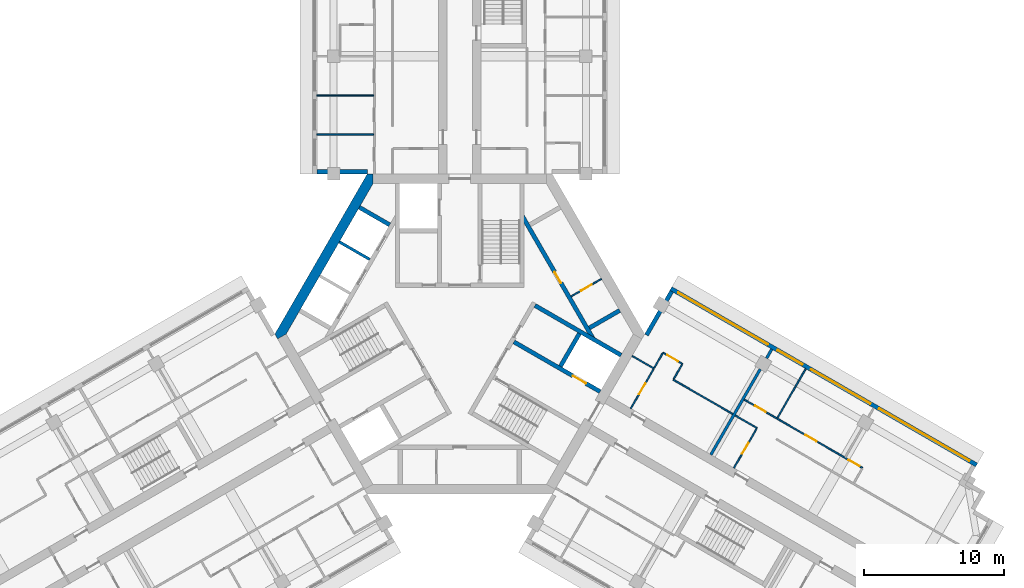
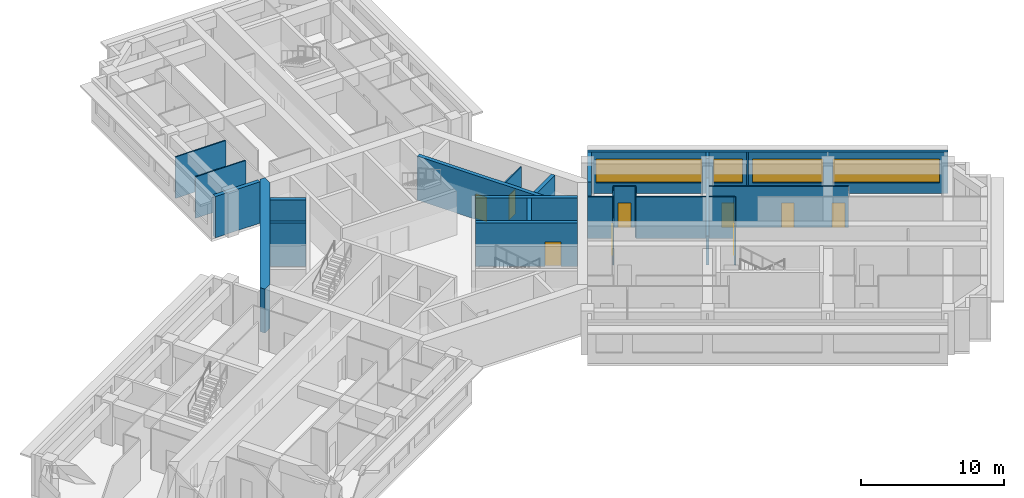
# One storey, part 6 of 10: 26 walls, 9 doors, 4 windows, 13 openings.
"""IFC4 building model written with IfcOpenShell, lengths in metres."""

from ifc_helpers import new_model, si_unit, direction, frame, frame_2d, origin, place, context, subcontext, project, spatial, polyline, rectangle, outline, extrude, material, layer, layer_set, type_object, element, fill, save


model = new_model("IFC4")

# Units and contexts
model_context = context("Model", 3, precision=1e-05, world=origin(), true_north=direction((0.0, 1.0)))
body_context = subcontext(model_context, "Body", "Model", "MODEL_VIEW")
ifc_project = project(units=[si_unit("LENGTHUNIT", "METRE"), si_unit("AREAUNIT", "SQUARE_METRE"), si_unit("VOLUMEUNIT", "CUBIC_METRE"), si_unit("PLANEANGLEUNIT", "RADIAN"), si_unit("MASSUNIT", "GRAM", prefix="KILO")], contexts=[model_context])

# Site, building, storey
site_placement = place(None, origin())
site = spatial("IfcSite", under=ifc_project, at=site_placement, CompositionType="ELEMENT")
building_placement = place(site_placement, origin())
building = spatial("IfcBuilding", under=site, at=building_placement, Name="Impinga Residences", CompositionType="ELEMENT")
storey_placement = place(building_placement, frame((0.0, 0.0, 196.0)))
storey = spatial("IfcBuildingStorey", under=building, at=storey_placement, Name="L48", CompositionType="ELEMENT", Elevation=196.0)

# Wall, opening, door
ifc_material_1 = material(Name="Concrete blockwork", Category="masonry")
ifc_layer_1 = layer(ifc_material_1, 0.10009765625)
ifc_layer_set_1 = layer_set([ifc_layer_1], Name="CP1 core room partition, blockwork 100")
wall_type_1 = type_object("IfcWallType", Name="CP1 core room partition, blockwork 100", PredefinedType="PARTITIONING", material=ifc_layer_set_1)
wall_1_placement = place(storey_placement, frame((7.95361328125, 2.686767578125, 0.0), z_axis=(0.0, 0.0, 1.0), x_axis=(0.866047370643, 0.499961950354, 0.0)))
wall_1 = element("IfcWall", 1, at=wall_1_placement, inside=storey, type_object=wall_type_1, Name="Core room partition, blockwork L48:CORE:mid:ZP1", PredefinedType="PARTITIONING", context=body_context, shape_type="SweptSolid", body=[
    extrude(rectangle(XDim=2.500244140625, YDim=0.10009765625, at=frame_2d((1.25, 0.0))), origin(), (0.0, 0.0, 1.0), 3.530029296875),
])
opening_1_placement = place(wall_1_placement, frame((0.800048828125, 0.0, 0.0)))
opening_1 = element("IfcOpeningElement", 2, at=opening_1_placement, cuts=wall_1, Name="Opening D6", PredefinedType="OPENING", context=body_context, shape_type="SweptSolid", body=[
    extrude(rectangle(XDim=0.89990234375, YDim=2.10009765625, at=frame_2d((0.449951171875, 1.050048828125))), frame((0.0, 0.06005859375, 0.0), z_axis=(0.0, -1.0, 0.0), x_axis=(1.0, 0.0, 0.0)), (0.0, 0.0, 1.0), 0.1201171875),
])
ifc_material_2 = material(Name="Timber door set", Category="wood")
door_type_1 = type_object("IfcDoorType", Name="D6 riser and store door 900x2100", OperationType="SINGLE_SWING_LEFT", PredefinedType="DOOR", material=ifc_material_2)
door_1_placement = place(opening_1_placement, origin())
door_1 = element("IfcDoor", 3, at=door_1_placement, inside=storey, type_object=door_type_1, Name="Residents' storage lockers door", OperationType="SINGLE_SWING_LEFT", OverallHeight=2.10009765625, OverallWidth=0.89990234375, PredefinedType="DOOR", context=body_context, shape_type="SweptSolid", body=[
    extrude(rectangle(XDim=0.89990234375, YDim=2.10009765625, at=frame_2d((0.449951171875, 1.050048828125))), frame((0.0, 0.02490234375, 0.0), z_axis=(0.0, -1.0, 0.0), x_axis=(1.0, 0.0, 0.0)), (0.0, 0.0, 1.0), 0.050048828125),
])
fill(opening_1, door_1)

# Walls
ifc_material_3 = material(Name="Terracotta rainscreen on blockwork", Category="masonry")
ifc_layer_2 = layer(ifc_material_3, 0.300048828125)
ifc_layer_set_2 = layer_set([ifc_layer_2], Name="EW1 external wall, terracotta rainscreen on blockwork 300")
wall_type_2 = type_object("IfcWallType", Name="EW1 external wall, terracotta rainscreen on blockwork 300", PredefinedType="SOLIDWALL", material=ifc_layer_set_2)
wall_2_placement = place(storey_placement, frame((-6.60009765625, 11.58154296875, 0.0), z_axis=(0.0, 0.0, 1.0), x_axis=(-1.0, 0.0, 0.0)))
element("IfcWall", 4, at=wall_2_placement, inside=storey, type_object=wall_type_2, Name="External wall EW1 L48", PredefinedType="SOLIDWALL", context=body_context, shape_type="SweptSolid", body=[
    extrude(rectangle(XDim=3.599853515625, YDim=0.300048828125, at=frame_2d((1.7998046875, 0.0))), origin(), (0.0, 0.0, 1.0), 3.530029296875),
])
wall_3_placement = place(storey_placement, frame((13.329833984375, -0.074951171875, 0.0), z_axis=(0.0, 0.0, 1.0), x_axis=(0.500012057535, 0.866018442252, 0.0)))
element("IfcWall", 5, at=wall_3_placement, inside=storey, type_object=wall_type_2, Name="External wall EW1 L48", PredefinedType="SOLIDWALL", context=body_context, shape_type="SweptSolid", body=[
    extrude(rectangle(XDim=3.60009765625, YDim=0.300048828125, at=frame_2d((1.800048828125, 0.0))), origin(), (0.0, 0.0, 1.0), 3.530029296875),
])

# Wall, openings, windows
wall_4_placement = place(storey_placement, frame((15.074951171875, 3.24755859375, 0.0), z_axis=(0.0, 0.0, 1.0), x_axis=(0.86602925447, -0.499993330357, 0.0)))
wall_4 = element("IfcWall", 6, at=wall_4_placement, inside=storey, type_object=wall_type_2, Name="External wall EW1 L48", PredefinedType="SOLIDWALL", context=body_context, shape_type="SweptSolid", body=[
    extrude(rectangle(XDim=25.199951171875, YDim=0.300048828125, at=frame_2d((12.60009765625, 0.0))), origin(), (0.0, 0.0, 1.0), 3.530029296875),
])
opening_2_placement = place(wall_4_placement, frame((0.60009765625, 0.0, 0.89990234375)))
opening_2 = element("IfcOpeningElement", 7, at=opening_2_placement, cuts=wall_4, Name="Opening W12", PredefinedType="OPENING", context=body_context, shape_type="SweptSolid", body=[
    extrude(rectangle(XDim=7.39990234375, YDim=2.050048828125, at=frame_2d((3.699951171875, 1.02490234375))), frame((0.0, 0.159912109375, 0.0), z_axis=(0.0, -1.0, 0.0), x_axis=(1.0, 0.0, 0.0)), (0.0, 0.0, 1.0), 0.320068359375),
])
opening_3_placement = place(wall_4_placement, frame((8.800048828125, 0.0, 0.89990234375)))
opening_3 = element("IfcOpeningElement", 8, at=opening_3_placement, cuts=wall_4, Name="Opening W14", PredefinedType="OPENING", context=body_context, shape_type="SweptSolid", body=[
    extrude(rectangle(XDim=2.050048828125, YDim=2.050048828125, at=frame_2d((1.02490234375, 1.02490234375))), frame((0.0, 0.159912109375, 0.0), z_axis=(0.0, -1.0, 0.0), x_axis=(1.0, 0.0, 0.0)), (0.0, 0.0, 1.0), 0.320068359375),
])
opening_4_placement = place(wall_4_placement, frame((11.550048828125, 0.0, 0.89990234375)))
opening_4 = element("IfcOpeningElement", 9, at=opening_4_placement, cuts=wall_4, Name="Opening W16", PredefinedType="OPENING", context=body_context, shape_type="SweptSolid", body=[
    extrude(rectangle(XDim=4.89990234375, YDim=2.050048828125, at=frame_2d((2.449951171875, 1.02490234375))), frame((0.0, 0.159912109375, 0.0), z_axis=(0.0, -1.0, 0.0), x_axis=(1.0, 0.0, 0.0)), (0.0, 0.0, 1.0), 0.320068359375),
])
opening_5_placement = place(wall_4_placement, frame((17.14990234375, 0.0, 0.89990234375)))
opening_5 = element("IfcOpeningElement", 10, at=opening_5_placement, cuts=wall_4, Name="Opening W7", PredefinedType="OPENING", context=body_context, shape_type="SweptSolid", body=[
    extrude(rectangle(XDim=7.449951171875, YDim=2.050048828125, at=frame_2d((3.72509765625, 1.02490234375))), frame((0.0, 0.159912109375, 0.0), z_axis=(0.0, -1.0, 0.0), x_axis=(1.0, 0.0, 0.0)), (0.0, 0.0, 1.0), 0.320068359375),
])
ifc_material_4 = material(Name="Aluminium window, clear double glazing", Category="aluminium")
window_type_1 = type_object("IfcWindowType", Name="W12 ribbon window 7400x2050", PartitioningType="SINGLE_PANEL", PredefinedType="WINDOW", material=ifc_material_4)
window_1_placement = place(opening_2_placement, origin())
window_1 = element("IfcWindow", 11, at=window_1_placement, inside=storey, type_object=window_type_1, Name="Window L48", OverallHeight=2.050048828125, OverallWidth=7.39990234375, PartitioningType="SINGLE_PANEL", PredefinedType="WINDOW", context=body_context, shape_type="SweptSolid", body=[
    extrude(rectangle(XDim=7.39990234375, YDim=2.050048828125, at=frame_2d((3.699951171875, 1.02490234375))), frame((0.0, 0.030029296875, 0.0), z_axis=(0.0, -1.0, 0.0), x_axis=(1.0, 0.0, 0.0)), (0.0, 0.0, 1.0), 0.06005859375),
])
fill(opening_2, window_1)
window_type_2 = type_object("IfcWindowType", Name="W14 ribbon window 2050x2050", PartitioningType="SINGLE_PANEL", PredefinedType="WINDOW", material=ifc_material_4)
window_2_placement = place(opening_3_placement, origin())
window_2 = element("IfcWindow", 12, at=window_2_placement, inside=storey, type_object=window_type_2, Name="Window L48", OverallHeight=2.050048828125, OverallWidth=2.050048828125, PartitioningType="SINGLE_PANEL", PredefinedType="WINDOW", context=body_context, shape_type="SweptSolid", body=[
    extrude(rectangle(XDim=2.050048828125, YDim=2.050048828125, at=frame_2d((1.02490234375, 1.02490234375))), frame((0.0, 0.030029296875, 0.0), z_axis=(0.0, -1.0, 0.0), x_axis=(1.0, 0.0, 0.0)), (0.0, 0.0, 1.0), 0.06005859375),
])
fill(opening_3, window_2)
window_type_3 = type_object("IfcWindowType", Name="W16 ribbon window 4900x2050", PartitioningType="SINGLE_PANEL", PredefinedType="WINDOW", material=ifc_material_4)
window_3_placement = place(opening_4_placement, origin())
window_3 = element("IfcWindow", 13, at=window_3_placement, inside=storey, type_object=window_type_3, Name="Window L48", OverallHeight=2.050048828125, OverallWidth=4.89990234375, PartitioningType="SINGLE_PANEL", PredefinedType="WINDOW", context=body_context, shape_type="SweptSolid", body=[
    extrude(rectangle(XDim=4.89990234375, YDim=2.050048828125, at=frame_2d((2.449951171875, 1.02490234375))), frame((0.0, 0.030029296875, 0.0), z_axis=(0.0, -1.0, 0.0), x_axis=(1.0, 0.0, 0.0)), (0.0, 0.0, 1.0), 0.06005859375),
])
fill(opening_4, window_3)
window_type_4 = type_object("IfcWindowType", Name="W7 ribbon window 7450x2050", PartitioningType="SINGLE_PANEL", PredefinedType="WINDOW", material=ifc_material_4)
window_4_placement = place(opening_5_placement, origin())
window_4 = element("IfcWindow", 14, at=window_4_placement, inside=storey, type_object=window_type_4, Name="Window L48", OverallHeight=2.050048828125, OverallWidth=7.449951171875, PartitioningType="SINGLE_PANEL", PredefinedType="WINDOW", context=body_context, shape_type="SweptSolid", body=[
    extrude(rectangle(XDim=7.449951171875, YDim=2.050048828125, at=frame_2d((3.72509765625, 1.02490234375))), frame((0.0, 0.030029296875, 0.0), z_axis=(0.0, -1.0, 0.0), x_axis=(1.0, 0.0, 0.0)), (0.0, 0.0, 1.0), 0.06005859375),
])
fill(opening_5, window_4)

# Walls
ifc_material_5 = material(Name="Gypsum board on steel studs", Category="steel")
ifc_layer_3 = layer(ifc_material_5, 0.10009765625)
ifc_layer_set_3 = layer_set([ifc_layer_3], Name="Gypsum board on steel studs")
wall_type_3 = type_object("IfcWallType", Name="IP1 partition 100", PredefinedType="PARTITIONING", material=ifc_layer_set_3)
for number, where, z_axis, x_axis, name in (
    (15, (-6.14990234375, 14.2314453125, 0.0), (0.0, 0.0, 1.0), (-1.0, 0.0, 0.0), "Partition L48-NA1:OB1"),
    (16, (-6.14990234375, 17.031494140625, 0.0), (0.0, 0.0, 1.0), (-1.0, 0.0, 0.0), "Partition L48-NA1:OB2"),
):
    element("IfcWall", number, at=place(storey_placement, frame(where, z_axis=z_axis, x_axis=x_axis)), inside=storey, type_object=wall_type_3, Name=name, PredefinedType="PARTITIONING", context=body_context, shape_type="SweptSolid", body=[
        extrude(rectangle(XDim=4.050048828125, YDim=0.10009765625, at=frame_2d((2.02490234375, 0.0))), origin(), (0.0, 0.0, 1.0), 3.530029296875),
    ])
wall_5_placement = place(storey_placement, frame((12.300048828125, -1.558837890625, 0.0), z_axis=(0.0, 0.0, 1.0), x_axis=(0.866047807691, -0.499961193289, 0.0)))
element("IfcWall", 17, at=wall_5_placement, inside=storey, type_object=wall_type_3, Name="Partition L48-EA1:DIV0", PredefinedType="PARTITIONING", context=body_context, shape_type="SweptSolid", body=[
    extrude(rectangle(XDim=1.800048828125, YDim=0.10009765625, at=frame_2d((0.89990234375, 0.0))), origin(), (0.0, 0.0, 1.0), 3.530029296875),
])
wall_6_placement = place(storey_placement, frame((15.244384765625, -3.2587890625, 0.0), z_axis=(0.0, 0.0, 1.0), x_axis=(0.866036242063, -0.49998122708, 0.0)))
element("IfcWall", 18, at=wall_6_placement, inside=storey, type_object=wall_type_3, Name="Partition L48-EA1:DIV1", PredefinedType="PARTITIONING", context=body_context, shape_type="SweptSolid", body=[
    extrude(rectangle(XDim=4.900146484375, YDim=0.10009765625, at=frame_2d((2.4501953125, 0.0))), origin(), (0.0, 0.0, 1.0), 3.530029296875),
])

# Wall, opening, door
wall_7_placement = place(storey_placement, frame((14.5087890625, -1.3330078125, 0.0), z_axis=(0.0, 0.0, 1.0), x_axis=(0.866028054938, -0.499995408039, 0.0)))
wall_7 = element("IfcWall", 19, at=wall_7_placement, inside=storey, type_object=wall_type_3, Name="Partition L48-EA1:STRIP", PredefinedType="PARTITIONING", context=body_context, shape_type="SweptSolid", body=[
    extrude(rectangle(XDim=1.60009765625, YDim=0.10009765625, at=frame_2d((0.800048828125, 0.0))), origin(), (0.0, 0.0, 1.0), 3.530029296875),
])
opening_6_placement = place(wall_7_placement, frame((0.35009765625, 0.0, 0.0)))
opening_6 = element("IfcOpeningElement", 20, at=opening_6_placement, cuts=wall_7, Name="Opening D2", PredefinedType="OPENING", context=body_context, shape_type="SweptSolid", body=[
    extrude(rectangle(XDim=0.89990234375, YDim=2.10009765625, at=frame_2d((0.449951171875, 1.050048828125))), frame((0.0, 0.06005859375, 0.0), z_axis=(0.0, -1.0, 0.0), x_axis=(1.0, 0.0, 0.0)), (0.0, 0.0, 1.0), 0.1201171875),
])
door_type_2 = type_object("IfcDoorType", Name="D2 internal door 900x2100", OperationType="SINGLE_SWING_LEFT", PredefinedType="DOOR", material=ifc_material_2)
door_2_placement = place(opening_6_placement, origin())
door_2 = element("IfcDoor", 21, at=door_2_placement, inside=storey, type_object=door_type_2, Name="Apartment L48-EA1 room door", OperationType="SINGLE_SWING_LEFT", OverallHeight=2.10009765625, OverallWidth=0.89990234375, PredefinedType="DOOR", context=body_context, shape_type="SweptSolid", body=[
    extrude(rectangle(XDim=0.89990234375, YDim=2.10009765625, at=frame_2d((0.449951171875, 1.050048828125))), frame((0.0, 0.02490234375, 0.0), z_axis=(0.0, -1.0, 0.0), x_axis=(1.0, 0.0, 0.0)), (0.0, 0.0, 1.0), 0.050048828125),
])
fill(opening_6, door_2)

# Walls
wall_8_placement = place(storey_placement, frame((13.8837890625, -2.41552734375, 0.0), z_axis=(0.0, 0.0, 1.0), x_axis=(0.500033551112, 0.866006032174, 0.0)))
element("IfcWall", 22, at=wall_8_placement, inside=storey, type_object=wall_type_3, Name="Partition L48-EA1:SE0", PredefinedType="PARTITIONING", context=body_context, shape_type="SweptSolid", body=[
    extrude(rectangle(XDim=1.2001953125, YDim=0.10009765625, at=frame_2d((0.60009765625, 0.0))), origin(), (0.0, 0.0, 1.0), 3.530029296875),
])
wall_9_placement = place(storey_placement, frame((15.26953125, -3.215576171875, 0.0), z_axis=(0.0, 0.0, 1.0), x_axis=(0.499880961361, 0.866094119867, 0.0)))
element("IfcWall", 23, at=wall_9_placement, inside=storey, type_object=wall_type_3, Name="Partition L48-EA1:SE1", PredefinedType="PARTITIONING", context=body_context, shape_type="SweptSolid", body=[
    extrude(rectangle(XDim=1.199951171875, YDim=0.10009765625, at=frame_2d((0.60009765625, 0.0))), origin(), (0.0, 0.0, 1.0), 3.530029296875),
])

# Wall, opening, door
wall_10_placement = place(storey_placement, frame((12.208740234375, -5.316650390625, 0.0), z_axis=(0.0, 0.0, 1.0), x_axis=(0.500017246033, 0.866015446554, 0.0)))
wall_10 = element("IfcWall", 24, at=wall_10_placement, inside=storey, type_object=wall_type_3, Name="Partition L48-EA1:IB1", PredefinedType="PARTITIONING", context=body_context, shape_type="SweptSolid", body=[
    extrude(rectangle(XDim=3.25, YDim=0.10009765625, at=frame_2d((1.625, 0.0))), origin(), (0.0, 0.0, 1.0), 3.530029296875),
])
opening_7_placement = place(wall_10_placement, frame((1.175048828125, 0.0, 0.0)))
opening_7 = element("IfcOpeningElement", 25, at=opening_7_placement, cuts=wall_10, Name="Opening D2", PredefinedType="OPENING", context=body_context, shape_type="SweptSolid", body=[
    extrude(rectangle(XDim=0.89990234375, YDim=2.10009765625, at=frame_2d((0.449951171875, 1.050048828125))), frame((0.0, 0.06005859375, 0.0), z_axis=(0.0, -1.0, 0.0), x_axis=(1.0, 0.0, 0.0)), (0.0, 0.0, 1.0), 0.1201171875),
])
door_3_placement = place(opening_7_placement, origin())
door_3 = element("IfcDoor", 26, at=door_3_placement, inside=storey, type_object=door_type_2, Name="Apartment L48-EA1 bathroom door", OperationType="SINGLE_SWING_LEFT", OverallHeight=2.10009765625, OverallWidth=0.89990234375, PredefinedType="DOOR", context=body_context, shape_type="SweptSolid", body=[
    extrude(rectangle(XDim=0.89990234375, YDim=2.10009765625, at=frame_2d((0.449951171875, 1.050048828125))), frame((0.0, 0.02490234375, 0.0), z_axis=(0.0, -1.0, 0.0), x_axis=(1.0, 0.0, 0.0)), (0.0, 0.0, 1.0), 0.050048828125),
])
fill(opening_7, door_3)

# Wall
wall_11_placement = place(storey_placement, frame((19.6611328125, -5.808837890625, 0.0), z_axis=(0.0, 0.0, 1.0), x_axis=(0.866047807691, -0.499961193289, 0.0)))
element("IfcWall", 27, at=wall_11_placement, inside=storey, type_object=wall_type_3, Name="Partition L48-EA2:DIV0", PredefinedType="PARTITIONING", context=body_context, shape_type="SweptSolid", body=[
    extrude(rectangle(XDim=1.800048828125, YDim=0.10009765625, at=frame_2d((0.89990234375, 0.0))), origin(), (0.0, 0.0, 1.0), 3.530029296875),
])

# Wall, openings, doors
wall_12_placement = place(storey_placement, frame((20.311279296875, -4.68310546875, 0.0), z_axis=(0.0, 0.0, 1.0), x_axis=(0.866021707014, -0.500006402939, 0.0)))
wall_12 = element("IfcWall", 28, at=wall_12_placement, inside=storey, type_object=wall_type_3, Name="Partition L48-EA2:STRIP", PredefinedType="PARTITIONING", context=body_context, shape_type="SweptSolid", body=[
    extrude(rectangle(XDim=9.749755859375, YDim=0.10009765625, at=frame_2d((4.875, 0.0))), origin(), (0.0, 0.0, 1.0), 3.530029296875),
])
opening_8_placement = place(wall_12_placement, frame((0.875, 0.0, 0.0)))
opening_8 = element("IfcOpeningElement", 29, at=opening_8_placement, cuts=wall_12, Name="Opening D2", PredefinedType="OPENING", context=body_context, shape_type="SweptSolid", body=[
    extrude(rectangle(XDim=0.89990234375, YDim=2.10009765625, at=frame_2d((0.449951171875, 1.050048828125))), frame((0.0, 0.06005859375, 0.0), z_axis=(0.0, -1.0, 0.0), x_axis=(1.0, 0.0, 0.0)), (0.0, 0.0, 1.0), 0.1201171875),
])
opening_9_placement = place(wall_12_placement, frame((5.050048828125, 0.0, 0.0)))
opening_9 = element("IfcOpeningElement", 30, at=opening_9_placement, cuts=wall_12, Name="Opening D2", PredefinedType="OPENING", context=body_context, shape_type="SweptSolid", body=[
    extrude(rectangle(XDim=0.89990234375, YDim=2.10009765625, at=frame_2d((0.449951171875, 1.050048828125))), frame((0.0, 0.06005859375, 0.0), z_axis=(0.0, -1.0, 0.0), x_axis=(1.0, 0.0, 0.0)), (0.0, 0.0, 1.0), 0.1201171875),
])
opening_10_placement = place(wall_12_placement, frame((8.60009765625, 0.0, 0.0)))
opening_10 = element("IfcOpeningElement", 31, at=opening_10_placement, cuts=wall_12, Name="Opening D2", PredefinedType="OPENING", context=body_context, shape_type="SweptSolid", body=[
    extrude(rectangle(XDim=0.89990234375, YDim=2.10009765625, at=frame_2d((0.449951171875, 1.050048828125))), frame((0.0, 0.06005859375, 0.0), z_axis=(0.0, -1.0, 0.0), x_axis=(1.0, 0.0, 0.0)), (0.0, 0.0, 1.0), 0.1201171875),
])
door_4_placement = place(opening_8_placement, origin())
door_4 = element("IfcDoor", 32, at=door_4_placement, inside=storey, type_object=door_type_2, Name="Apartment L48-EA2 room door", OperationType="SINGLE_SWING_LEFT", OverallHeight=2.10009765625, OverallWidth=0.89990234375, PredefinedType="DOOR", context=body_context, shape_type="SweptSolid", body=[
    extrude(rectangle(XDim=0.89990234375, YDim=2.10009765625, at=frame_2d((0.449951171875, 1.050048828125))), frame((0.0, 0.02490234375, 0.0), z_axis=(0.0, -1.0, 0.0), x_axis=(1.0, 0.0, 0.0)), (0.0, 0.0, 1.0), 0.050048828125),
])
fill(opening_8, door_4)
door_5_placement = place(opening_9_placement, origin())
door_5 = element("IfcDoor", 33, at=door_5_placement, inside=storey, type_object=door_type_2, Name="Apartment L48-EA2 room door", OperationType="SINGLE_SWING_RIGHT", OverallHeight=2.10009765625, OverallWidth=0.89990234375, PredefinedType="DOOR", context=body_context, shape_type="SweptSolid", body=[
    extrude(rectangle(XDim=0.89990234375, YDim=2.10009765625, at=frame_2d((0.449951171875, 1.050048828125))), frame((0.0, 0.02490234375, 0.0), z_axis=(0.0, -1.0, 0.0), x_axis=(1.0, 0.0, 0.0)), (0.0, 0.0, 1.0), 0.050048828125),
])
fill(opening_9, door_5)
door_6_placement = place(opening_10_placement, origin())
door_6 = element("IfcDoor", 34, at=door_6_placement, inside=storey, type_object=door_type_2, Name="Apartment L48-EA2 room door", OperationType="SINGLE_SWING_RIGHT", OverallHeight=2.10009765625, OverallWidth=0.89990234375, PredefinedType="DOOR", context=body_context, shape_type="SweptSolid", body=[
    extrude(rectangle(XDim=0.89990234375, YDim=2.10009765625, at=frame_2d((0.449951171875, 1.050048828125))), frame((0.0, 0.02490234375, 0.0), z_axis=(0.0, -1.0, 0.0), x_axis=(1.0, 0.0, 0.0)), (0.0, 0.0, 1.0), 0.050048828125),
])
fill(opening_10, door_6)

# Wall, opening, door
wall_13_placement = place(storey_placement, frame((19.570068359375, -9.566650390625, 0.0), z_axis=(0.0, 0.0, 1.0), x_axis=(0.500017246033, 0.866015446554, 0.0)))
wall_13 = element("IfcWall", 35, at=wall_13_placement, inside=storey, type_object=wall_type_3, Name="Partition L48-EA2:IB1", PredefinedType="PARTITIONING", context=body_context, shape_type="SweptSolid", body=[
    extrude(rectangle(XDim=3.25, YDim=0.10009765625, at=frame_2d((1.625, 0.0))), origin(), (0.0, 0.0, 1.0), 3.530029296875),
])
opening_11_placement = place(wall_13_placement, frame((1.175048828125, 0.0, 0.0)))
opening_11 = element("IfcOpeningElement", 36, at=opening_11_placement, cuts=wall_13, Name="Opening D2", PredefinedType="OPENING", context=body_context, shape_type="SweptSolid", body=[
    extrude(rectangle(XDim=0.89990234375, YDim=2.10009765625, at=frame_2d((0.449951171875, 1.050048828125))), frame((0.0, 0.06005859375, 0.0), z_axis=(0.0, -1.0, 0.0), x_axis=(1.0, 0.0, 0.0)), (0.0, 0.0, 1.0), 0.1201171875),
])
door_7_placement = place(opening_11_placement, origin())
door_7 = element("IfcDoor", 37, at=door_7_placement, inside=storey, type_object=door_type_2, Name="Apartment L48-EA2 bathroom door", OperationType="SINGLE_SWING_LEFT", OverallHeight=2.10009765625, OverallWidth=0.89990234375, PredefinedType="DOOR", context=body_context, shape_type="SweptSolid", body=[
    extrude(rectangle(XDim=0.89990234375, YDim=2.10009765625, at=frame_2d((0.449951171875, 1.050048828125))), frame((0.0, 0.02490234375, 0.0), z_axis=(0.0, -1.0, 0.0), x_axis=(1.0, 0.0, 0.0)), (0.0, 0.0, 1.0), 0.050048828125),
])
fill(opening_11, door_7)

# Walls
wall_14_placement = place(storey_placement, frame((22.674560546875, -5.98974609375, 0.0), z_axis=(0.0, 0.0, 1.0), x_axis=(0.499990325971, 0.866030989016, 0.0)))
element("IfcWall", 38, at=wall_14_placement, inside=storey, type_object=wall_type_3, Name="Partition L48-EA2:OB1", PredefinedType="PARTITIONING", context=body_context, shape_type="SweptSolid", body=[
    extrude(rectangle(XDim=4.0498046875, YDim=0.10009765625, at=frame_2d((2.02490234375, 0.0))), origin(), (0.0, 0.0, 1.0), 3.530029296875),
])
ifc_layer_4 = layer(ifc_material_1, 0.199951171875)
ifc_layer_set_4 = layer_set([ifc_layer_4], Name="PW1 party wall between apartments 200")
wall_type_4 = type_object("IfcWallType", Name="PW1 party wall between apartments 200", PredefinedType="SOLIDWALL", material=ifc_layer_set_4)
wall_15_placement = place(storey_placement, frame((17.924560546875, -8.61669921875, 0.0), z_axis=(0.0, 0.0, 1.0), x_axis=(0.500016218704, 0.866016039709, 0.0)))
element("IfcWall", 39, at=wall_15_placement, inside=storey, type_object=wall_type_4, Name="Party wall between apartments L48-EA1:PARTY", PredefinedType="SOLIDWALL", context=body_context, shape_type="SweptSolid", body=[
    extrude(rectangle(XDim=7.050048828125, YDim=0.199951171875, at=frame_2d((3.52490234375, 0.0))), origin(), (0.0, 0.0, 1.0), 2.47998046875),
])
wall_16_placement = place(storey_placement, frame((21.899658203125, -1.73193359375, 0.0), z_axis=(0.0, 0.0, 1.0), x_axis=(0.499919672301, 0.866071776036, 0.0)))
element("IfcWall", 40, at=wall_16_placement, inside=storey, type_object=wall_type_4, Name="Party wall between apartments L48-EA1:PARTYb", PredefinedType="SOLIDWALL", context=body_context, shape_type="SweptSolid", body=[
    extrude(rectangle(XDim=0.75, YDim=0.199951171875, at=frame_2d((0.375, 0.0))), origin(), (0.0, 0.0, 1.0), 3.530029296875),
])
ifc_material_6 = material(Name="Concrete C60/75", Category="concrete")
ifc_layer_5 = layer(ifc_material_6, 0.699951171875)
ifc_layer_set_5 = layer_set([ifc_layer_5], Name="Concrete C60/75")
wall_type_5 = type_object("IfcWallType", Name="SW3 core wall 700", PredefinedType="SHEAR", material=ifc_layer_set_5)
wall_17_placement = place(storey_placement, origin())
element("IfcWall", 41, at=wall_17_placement, inside=storey, type_object=wall_type_5, Name="Core wall SW3 E:EXPOSED L48", PredefinedType="SHEAR", context=body_context, shape_type="SweptSolid", body=[
    extrude(outline(polyline([(-6.60009765625, 11.431640625), (-13.199951171875, 0.0), (-12.998046875, -0.35009765625), (-12.3916015625, 0.0), (-6.19580078125, 10.7314453125), (-6.19580078125, 11.431640625), (-6.60009765625, 11.431640625)])), origin(), (0.0, 0.0, 1.0), 3.75),
])

# Wall, opening, door
ifc_material_7 = material(Name="Concrete C70/85", Category="concrete")
ifc_layer_6 = layer(ifc_material_7, 0.300048828125)
ifc_layer_set_6 = layer_set([ifc_layer_6], Name="Concrete C70/85")
wall_type_6 = type_object("IfcWallType", Name="SW5 core inner wall, stairs, shafts and lobbies 300", PredefinedType="SHEAR", material=ifc_layer_set_6)
wall_18_placement = place(storey_placement, frame((3.86865234375, -0.559326171875, 0.0), z_axis=(0.0, 0.0, 1.0), x_axis=(0.866025859768, -0.499999210213, 0.0)))
wall_18 = element("IfcWall", 42, at=wall_18_placement, inside=storey, type_object=wall_type_6, Name="Core wall SW5 E:FF-IN L48", PredefinedType="SHEAR", context=body_context, shape_type="SweptSolid", body=[
    extrude(rectangle(XDim=7.1015625, YDim=0.300048828125, at=frame_2d((3.55078125, 0.0))), origin(), (0.0, 0.0, 1.0), 3.75),
])
opening_12_placement = place(wall_18_placement, frame((4.85009765625, 0.0, 0.0)))
opening_12 = element("IfcOpeningElement", 43, at=opening_12_placement, cuts=wall_18, Name="Opening LD2", PredefinedType="OPENING", context=body_context, shape_type="SweptSolid", body=[
    extrude(rectangle(XDim=1.10009765625, YDim=2.10009765625, at=frame_2d((0.550048828125, 1.050048828125))), frame((0.0, 0.159912109375, 0.0), z_axis=(0.0, -1.0, 0.0), x_axis=(1.0, 0.0, 0.0)), (0.0, 0.0, 1.0), 0.320068359375),
])
ifc_material_8 = material(Name="Steel lift landing door", Category="steel")
door_type_3 = type_object("IfcDoorType", Name="LD2 firefighting lift landing door 1100x2100", OperationType="DOUBLE_DOOR_SLIDING", PredefinedType="DOOR", material=ifc_material_8)
door_8_placement = place(opening_12_placement, origin())
door_8 = element("IfcDoor", 44, at=door_8_placement, inside=storey, type_object=door_type_3, Name="Firefighting lift landing door F3", OperationType="DOUBLE_DOOR_SLIDING", OverallHeight=2.10009765625, OverallWidth=1.10009765625, PredefinedType="DOOR", context=body_context, shape_type="SweptSolid", body=[
    extrude(rectangle(XDim=1.10009765625, YDim=2.10009765625, at=frame_2d((0.550048828125, 1.050048828125))), frame((0.0, 0.02490234375, 0.0), z_axis=(0.0, -1.0, 0.0), x_axis=(1.0, 0.0, 0.0)), (0.0, 0.0, 1.0), 0.050048828125),
])
fill(opening_12, door_8)

# Walls
wall_19_placement = place(storey_placement, frame((5.36865234375, 2.038818359375, 0.0), z_axis=(0.0, 0.0, 1.0), x_axis=(0.866025859768, -0.499999210213, 0.0)))
element("IfcWall", 45, at=wall_19_placement, inside=storey, type_object=wall_type_6, Name="Core wall SW5 E:FF-OUT L48", PredefinedType="SHEAR", context=body_context, shape_type="SweptSolid", body=[
    extrude(rectangle(XDim=7.1015625, YDim=0.300048828125, at=frame_2d((3.55078125, 0.0))), origin(), (0.0, 0.0, 1.0), 3.75),
])
wall_20_placement = place(storey_placement, frame((8.541259765625, 0.033935546875, 0.0), z_axis=(0.0, 0.0, 1.0), x_axis=(-0.50000943426, -0.866019956843, 0.0)))
element("IfcWall", 46, at=wall_20_placement, inside=storey, type_object=wall_type_6, Name="Core wall SW5 E:FF-RS L48", PredefinedType="SHEAR", context=body_context, shape_type="SweptSolid", body=[
    extrude(rectangle(XDim=2.7001953125, YDim=0.300048828125, at=frame_2d((1.35009765625, 0.0))), origin(), (0.0, 0.0, 1.0), 3.75),
])

# Wall, opening, door
wall_21_placement = place(storey_placement, frame((4.449951171875, 8.455322265625, 0.0), z_axis=(0.0, 0.0, 1.0), x_axis=(0.500002290144, -0.866024081565, 0.0)))
wall_21 = element("IfcWall", 47, at=wall_21_placement, inside=storey, type_object=wall_type_6, Name="Core wall SW5 W:BANK-FRONT L48", PredefinedType="SHEAR", context=body_context, shape_type="SweptSolid", body=[
    extrude(rectangle(XDim=10.1953125, YDim=0.300048828125, at=frame_2d((5.09765625, 0.0))), origin(), (0.0, 0.0, 1.0), 3.75),
])
opening_13_placement = place(wall_21_placement, frame((4.647705078125, 0.0, 0.0)))
opening_13 = element("IfcOpeningElement", 48, at=opening_13_placement, cuts=wall_21, Name="Opening D6", PredefinedType="OPENING", context=body_context, shape_type="SweptSolid", body=[
    extrude(rectangle(XDim=0.89990234375, YDim=2.10009765625, at=frame_2d((0.449951171875, 1.050048828125))), frame((0.0, 0.159912109375, 0.0), z_axis=(0.0, -1.0, 0.0), x_axis=(1.0, 0.0, 0.0)), (0.0, 0.0, 1.0), 0.320068359375),
])
door_9_placement = place(opening_13_placement, origin())
door_9 = element("IfcDoor", 49, at=door_9_placement, inside=storey, type_object=door_type_1, Name="Residents' study door", OperationType="SINGLE_SWING_RIGHT", OverallHeight=2.10009765625, OverallWidth=0.89990234375, PredefinedType="DOOR", context=body_context, shape_type="SweptSolid", body=[
    extrude(rectangle(XDim=0.89990234375, YDim=2.10009765625, at=frame_2d((0.449951171875, 1.050048828125))), frame((0.0, 0.02490234375, 0.0), z_axis=(0.0, -1.0, 0.0), x_axis=(1.0, 0.0, 0.0)), (0.0, 0.0, 1.0), 0.050048828125),
])
fill(opening_13, door_9)

# Walls
for number, where, z_axis, x_axis, name in (
    (50, (9.253662109375, 0.43505859375, 0.0), (0.0, 0.0, 1.0), (0.866022959057, 0.500004234368, 0.0), "Core wall SW5 W:BANK-R L48"),
    (51, (-5.003662109375, 7.79638671875, 0.0), (0.0, 0.0, 1.0), (-0.866022959057, 0.500004234368, 0.0), "Core wall SW5 E:BANK-R L48"),
):
    element("IfcWall", number, at=place(storey_placement, frame(where, z_axis=z_axis, x_axis=x_axis)), inside=storey, type_object=wall_type_6, Name=name, PredefinedType="SHEAR", context=body_context, shape_type="SweptSolid", body=[
        extrude(rectangle(XDim=2.5, YDim=0.300048828125, at=frame_2d((1.25, 0.0))), origin(), (0.0, 0.0, 1.0), 3.75),
    ])
ifc_layer_7 = layer(ifc_material_7, 0.199951171875)
ifc_layer_set_7 = layer_set([ifc_layer_7], Name="Concrete C70/85")
wall_type_7 = type_object("IfcWallType", Name="SW6 lift shaft divider wall 200", PredefinedType="SHEAR", material=ifc_layer_set_7)
wall_22_placement = place(storey_placement, frame((-6.4287109375, 5.328125, 0.0), z_axis=(0.0, 0.0, 1.0), x_axis=(-0.866022959057, 0.500004234368, 0.0)))
element("IfcWall", 52, at=wall_22_placement, inside=storey, type_object=wall_type_7, Name="Core wall SW6 E:BANK-D2 L48", PredefinedType="SHEAR", context=body_context, shape_type="SweptSolid", body=[
    extrude(rectangle(XDim=2.5, YDim=0.199951171875, at=frame_2d((1.25, 0.0))), origin(), (0.0, 0.0, 1.0), 3.75),
])

save(model, "model.ifc")
